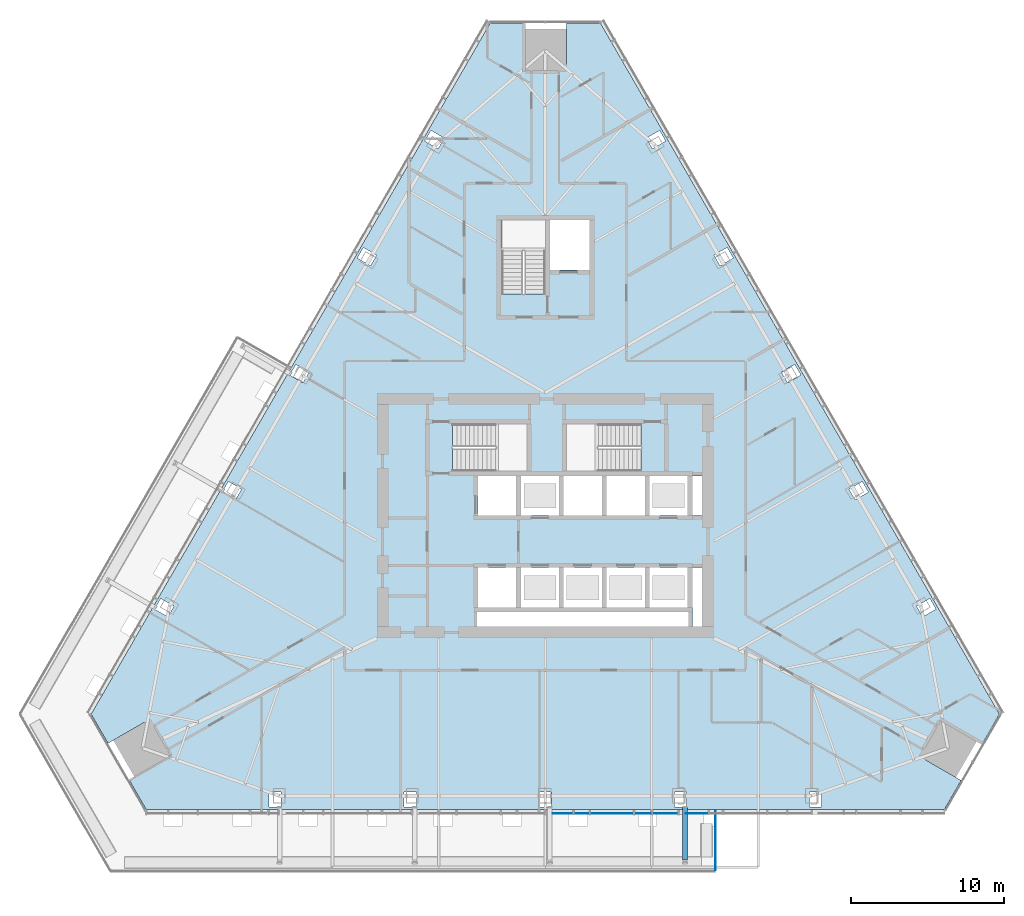
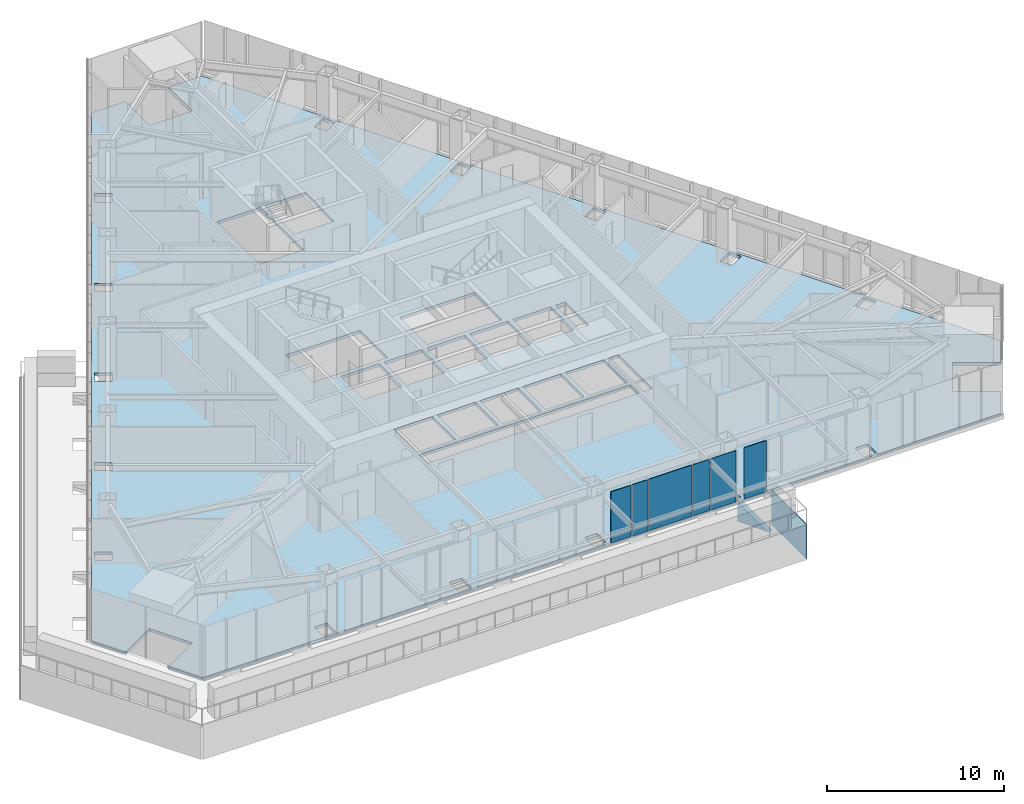
# One storey, part 12 of 23: 8 plates, 1 slab, 1 element without a shape of its own.
"""IFC4 building model written with IfcOpenShell, lengths in metres."""

from ifc_helpers import new_model, si_unit, direction, frame, origin, place, context, subcontext, project, spatial, polyline, outline, extrude, material, layer, layer_set, type_object, element, aggregate, save


model = new_model("IFC4")

# Units and contexts
model_context = context("Model", 3, precision=1e-05, world=origin(), true_north=direction((0.0, 1.0)))
body_context = subcontext(model_context, "Body", "Model", "MODEL_VIEW")
ifc_project = project(units=[si_unit("LENGTHUNIT", "METRE"), si_unit("AREAUNIT", "SQUARE_METRE"), si_unit("VOLUMEUNIT", "CUBIC_METRE"), si_unit("PLANEANGLEUNIT", "RADIAN"), si_unit("MASSUNIT", "GRAM", prefix="KILO")], contexts=[model_context])

# Site, building, storey
site_placement = place(None, origin())
site = spatial("IfcSite", under=ifc_project, at=site_placement, CompositionType="ELEMENT")
building_placement = place(site_placement, origin())
building = spatial("IfcBuilding", under=site, at=building_placement, Name="Firuza Gate Tower and Library", CompositionType="ELEMENT")
storey_placement = place(building_placement, frame((0.0, 0.0, 190.89990234375)))
storey = spatial("IfcBuildingStorey", under=building, at=storey_placement, Name="L44", CompositionType="ELEMENT", Elevation=190.89990234375)

# Slab
ifc_material_1 = material(Name="Concrete C40/50", Category="concrete")
ifc_layer_1 = layer(ifc_material_1, 0.199951171875)
ifc_layer_set_1 = layer_set([ifc_layer_1], Name="Composite floor slab 200 C40/50")
slab_type = type_object("IfcSlabType", Name="Composite floor slab 200 C40/50", PredefinedType="FLOOR", material=ifc_layer_set_1)
slab_placement = place(storey_placement, frame((0.0, 0.0, -0.199951171875)))
element("IfcSlab", 1, at=slab_placement, inside=storey, type_object=slab_type, Name="Floor slab L44", PredefinedType="FLOOR", context=body_context, shape_type="SweptSolid", body=[
    extrude(outline(polyline([(101.057373046875, 55.798828125), (102.157470703125, 57.7041015625), (99.80029296875, 59.06494140625), (101.2001953125, 61.48974609375), (103.557373046875, 60.12890625), (104.657470703125, 62.0341796875), (78.60009765625, 107.1669921875), (76.39990234375, 107.1669921875), (76.39990234375, 104.4453125), (73.60009765625, 104.4453125), (73.60009765625, 107.1669921875), (71.39990234375, 107.1669921875), (45.342529296875, 62.0341796875), (46.442626953125, 60.12890625), (48.7998046875, 61.48974609375), (50.19970703125, 59.06494140625), (47.842529296875, 57.7041015625), (48.942626953125, 55.798828125), (101.057373046875, 55.798828125)]), holes=[polyline([(56.952392578125, 55.959716796875), (56.952392578125, 56.959716796875), (57.752197265625, 56.959716796875), (57.752197265625, 55.959716796875), (56.952392578125, 55.959716796875)]), polyline([(74.60009765625, 55.959716796875), (74.60009765625, 56.959716796875), (75.39990234375, 56.959716796875), (75.39990234375, 55.959716796875), (74.60009765625, 55.959716796875)]), polyline([(65.776123046875, 55.959716796875), (65.776123046875, 56.959716796875), (66.576171875, 56.959716796875), (66.576171875, 55.959716796875), (65.776123046875, 55.959716796875)]), polyline([(84.35009765625, 67.75), (70.550048828125, 67.75), (70.550048828125, 68.699951171875), (84.35009765625, 68.699951171875), (84.35009765625, 67.75)]), polyline([(49.88671875, 69.583251953125), (50.752685546875, 69.083251953125), (50.352783203125, 68.390380859375), (49.48681640625, 68.890380859375), (49.88671875, 69.583251953125)]), polyline([(73.10009765625, 69.0), (70.60009765625, 69.0), (70.60009765625, 71.60009765625), (73.10009765625, 71.60009765625), (73.10009765625, 69.0)]), polyline([(75.89990234375, 69.0), (73.39990234375, 69.0), (73.39990234375, 71.60009765625), (75.89990234375, 71.60009765625), (75.89990234375, 69.0)]), polyline([(73.10009765625, 75.0), (70.60009765625, 75.0), (70.60009765625, 77.60009765625), (73.10009765625, 77.60009765625), (73.10009765625, 75.0)]), polyline([(75.89990234375, 75.0), (73.39990234375, 75.0), (73.39990234375, 77.60009765625), (75.89990234375, 77.60009765625), (75.89990234375, 75.0)]), polyline([(54.298583984375, 77.224853515625), (55.164794921875, 76.724853515625), (54.7646484375, 76.031982421875), (53.898681640625, 76.531982421875), (54.298583984375, 77.224853515625)]), polyline([(73.81005859375, 77.89990234375), (68.9404296875, 77.89990234375), (68.9404296875, 80.97998046875), (73.81005859375, 80.97998046875), (73.81005859375, 77.89990234375)]), polyline([(58.710693359375, 84.866455078125), (59.57666015625, 84.366455078125), (59.1767578125, 83.673828125), (58.310546875, 84.173828125), (58.710693359375, 84.866455078125)]), polyline([(72.159912109375, 89.470458984375), (72.159912109375, 94.300048828125), (75.0, 94.300048828125), (75.0, 89.470458984375), (72.159912109375, 89.470458984375)]), polyline([(63.12255859375, 92.50830078125), (63.988525390625, 92.00830078125), (63.588623046875, 91.3154296875), (62.72265625, 91.8154296875), (63.12255859375, 92.50830078125)]), polyline([(75.300048828125, 91.050048828125), (75.300048828125, 94.300048828125), (77.89990234375, 94.300048828125), (77.89990234375, 91.050048828125), (75.300048828125, 91.050048828125)]), polyline([(68.400390625, 99.64990234375), (68.00048828125, 98.95703125), (67.134521484375, 99.45703125), (67.534423828125, 100.14990234375), (68.400390625, 99.64990234375)]), polyline([(92.247802734375, 55.959716796875), (92.247802734375, 56.959716796875), (93.047607421875, 56.959716796875), (93.047607421875, 55.959716796875), (92.247802734375, 55.959716796875)]), polyline([(83.423828125, 55.959716796875), (83.423828125, 56.959716796875), (84.223876953125, 56.959716796875), (84.223876953125, 55.959716796875), (83.423828125, 55.959716796875)]), polyline([(100.51318359375, 68.890380859375), (99.647216796875, 68.390380859375), (99.247314453125, 69.083251953125), (100.11328125, 69.583251953125), (100.51318359375, 68.890380859375)]), polyline([(85.25, 67.75), (84.60009765625, 67.75), (84.60009765625, 71.60009765625), (85.25, 71.60009765625), (85.25, 67.75)]), polyline([(81.5, 69.0), (79.0, 69.0), (79.0, 71.60009765625), (81.5, 71.60009765625), (81.5, 69.0)]), polyline([(81.800048828125, 69.0), (81.800048828125, 71.60009765625), (84.300048828125, 71.60009765625), (84.300048828125, 69.0), (81.800048828125, 69.0)]), polyline([(76.199951171875, 69.0), (76.199951171875, 71.60009765625), (78.699951171875, 71.60009765625), (78.699951171875, 69.0), (76.199951171875, 69.0)]), polyline([(81.5, 75.0), (79.0, 75.0), (79.0, 77.60009765625), (81.5, 77.60009765625), (81.5, 75.0)]), polyline([(84.300048828125, 75.0), (81.800048828125, 75.0), (81.800048828125, 77.60009765625), (84.300048828125, 77.60009765625), (84.300048828125, 75.0)]), polyline([(85.25, 75.0), (84.60009765625, 75.0), (84.60009765625, 77.60009765625), (85.25, 77.60009765625), (85.25, 75.0)]), polyline([(78.699951171875, 75.0), (76.199951171875, 75.0), (76.199951171875, 77.60009765625), (78.699951171875, 77.60009765625), (78.699951171875, 75.0)]), polyline([(96.101318359375, 76.531982421875), (95.2353515625, 76.031982421875), (94.835205078125, 76.724853515625), (95.701416015625, 77.224853515625), (96.101318359375, 76.531982421875)]), polyline([(81.259521484375, 77.89990234375), (76.389892578125, 77.89990234375), (76.389892578125, 80.97998046875), (81.259521484375, 80.97998046875), (81.259521484375, 77.89990234375)]), polyline([(91.689453125, 84.173828125), (90.8232421875, 83.673828125), (90.42333984375, 84.366455078125), (91.289306640625, 84.866455078125), (91.689453125, 84.173828125)]), polyline([(86.411376953125, 91.3154296875), (86.011474609375, 92.00830078125), (86.87744140625, 92.50830078125), (87.27734375, 91.8154296875), (86.411376953125, 91.3154296875)]), polyline([(81.99951171875, 98.95703125), (81.599609375, 99.64990234375), (82.465576171875, 100.14990234375), (82.865478515625, 99.45703125), (81.99951171875, 98.95703125)])]), origin(), (0.0, 0.0, 1.0), 0.199951171875),
])

# Curtain wall, plates
ifc_material_2 = material(Name="Aluminium 6063-T6", Category="aluminium")
ifc_layer_2 = layer(ifc_material_2, 0.14990234375)
ifc_layer_set_2 = layer_set([ifc_layer_2], Name="Unitised curtain wall, hotel")
curtain_wall_type = type_object("IfcCurtainWallType", Name="Unitised curtain wall, hotel", PredefinedType="NOTDEFINED", material=ifc_layer_set_2)
curtain_wall_placement = place(storey_placement, origin())
curtain_wall = element("IfcCurtainWall", 2, at=curtain_wall_placement, inside=storey, type_object=curtain_wall_type, Name="CW2 L44 S face", PredefinedType="NOTDEFINED")
ifc_material_3 = material(Name="Fritted glass", Category="glass")
ifc_layer_3 = layer(ifc_material_3, 0.030029296875)
ifc_layer_set_3 = layer_set([ifc_layer_3], Name="Fritted glass unit, hotel")
plate_type_1 = type_object("IfcPlateType", Name="Fritted glass unit, hotel", PredefinedType="CURTAIN_PANEL", material=ifc_layer_set_3)
plate_1_placement = place(storey_placement, frame((75.487060546875, 55.538818359375, 0.150146484375), z_axis=(0.0, -1.0, 0.0), x_axis=(1.0, 0.0, 0.0)))
plate_1 = element("IfcPlate", 3, at=plate_1_placement, type_object=plate_type_1, Name="Glass unit", PredefinedType="CURTAIN_PANEL", context=body_context, shape_type="SweptSolid", body=[
    extrude(outline(polyline([(0.0, 0.0), (1.316650390625, 0.0), (1.316650390625, 3.550048828125), (0.0, 3.550048828125), (0.0, 0.0)])), origin(), (0.0, 0.0, -1.0), 0.030029296875),
])
plate_2_placement = place(storey_placement, frame((82.020263671875, 55.538818359375, 0.150146484375), z_axis=(0.0, -1.0, 0.0), x_axis=(1.0, 0.0, 0.0)))
plate_2 = element("IfcPlate", 4, at=plate_2_placement, type_object=plate_type_1, Name="Glass unit", PredefinedType="CURTAIN_PANEL", context=body_context, shape_type="SweptSolid", body=[
    extrude(outline(polyline([(0.0, 0.0), (1.639892578125, 0.0), (1.639892578125, 3.550048828125), (0.0, 3.550048828125), (0.0, 0.0)])), origin(), (0.0, 0.0, -1.0), 0.030029296875),
])
plate_3_placement = place(storey_placement, frame((84.1728515625, 55.538818359375, 0.150146484375), z_axis=(0.0, -1.0, 0.0), x_axis=(1.0, 0.0, 0.0)))
plate_3 = element("IfcPlate", 5, at=plate_3_placement, type_object=plate_type_1, Name="Glass unit", PredefinedType="CURTAIN_PANEL", context=body_context, shape_type="SweptSolid", body=[
    extrude(outline(polyline([(0.0, 0.0), (1.45458984375, 0.0), (1.45458984375, 3.550048828125), (0.0, 3.550048828125), (0.0, 0.0)])), origin(), (0.0, 0.0, -1.0), 0.030029296875),
])
ifc_material_4 = material(Name="Glazed ceramic tile")
ifc_layer_4 = layer(ifc_material_4, 0.030029296875)
ifc_layer_set_4 = layer_set([ifc_layer_4], Name="Opaque ceramic panel, hotel")
plate_type_2 = type_object("IfcPlateType", Name="Opaque ceramic panel, hotel", PredefinedType="CURTAIN_PANEL", material=ifc_layer_set_4)
plate_4_placement = place(storey_placement, frame((76.8837890625, 55.538818359375, 0.150146484375), z_axis=(0.0, -1.0, 0.0), x_axis=(1.0, 0.0, 0.0)))
plate_4 = element("IfcPlate", 6, at=plate_4_placement, type_object=plate_type_2, Name="Opaque ceramic panel", PredefinedType="CURTAIN_PANEL", context=body_context, shape_type="SweptSolid", body=[
    extrude(outline(polyline([(0.0, 0.0), (0.976318359375, 0.0), (0.976318359375, 3.550048828125), (0.0, 3.550048828125), (0.0, 0.0)])), origin(), (0.0, 0.0, -1.0), 0.030029296875),
])
plate_5_placement = place(storey_placement, frame((77.940185546875, 55.538818359375, 0.150146484375), z_axis=(0.0, -1.0, 0.0), x_axis=(1.0, 0.0, 0.0)))
plate_5 = element("IfcPlate", 7, at=plate_5_placement, type_object=plate_type_2, Name="Opaque ceramic panel", PredefinedType="CURTAIN_PANEL", context=body_context, shape_type="SweptSolid", body=[
    extrude(outline(polyline([(0.0, 0.0), (2.820068359375, 0.0), (2.820068359375, 3.550048828125), (0.0, 3.550048828125), (0.0, 0.0)])), origin(), (0.0, 0.0, -1.0), 0.030029296875),
])
plate_6_placement = place(storey_placement, frame((80.840087890625, 55.538818359375, 0.150146484375), z_axis=(0.0, -1.0, 0.0), x_axis=(1.0, 0.0, 0.0)))
plate_6 = element("IfcPlate", 8, at=plate_6_placement, type_object=plate_type_2, Name="Opaque ceramic panel", PredefinedType="CURTAIN_PANEL", context=body_context, shape_type="SweptSolid", body=[
    extrude(outline(polyline([(0.0, 0.0), (1.10009765625, 0.0), (1.10009765625, 3.550048828125), (0.0, 3.550048828125), (0.0, 0.0)])), origin(), (0.0, 0.0, -1.0), 0.030029296875),
])
aggregate(curtain_wall, [plate_1, plate_4, plate_5, plate_6, plate_2, plate_3])

# Plates
ifc_material_5 = material(Name="Steel S355", Category="steel")
ifc_layer_5 = layer(ifc_material_5, 0.300048828125)
ifc_layer_set_5 = layer_set([ifc_layer_5], Name="Tray bracket web 300 Steel S355")
plate_type_3 = type_object("IfcPlateType", Name="Tray bracket web 300 Steel S355", PredefinedType="SHEET", material=ifc_layer_set_5)
plate_7_placement = place(storey_placement, frame((84.27392578125, 55.925048828125, -0.199951171875), z_axis=(1.0, 0.0, 0.0), x_axis=(0.0, -1.0, 0.0)))
element("IfcPlate", 9, at=plate_7_placement, inside=storey, type_object=plate_type_3, Name="Tray bracket web L44 col:L43:S4", PredefinedType="SHEET", context=body_context, shape_type="SweptSolid", body=[
    extrude(outline(polyline([(0.0, 0.0), (3.429931640625, 0.0), (0.0, 1.333984375), (0.0, 0.0)])), origin(), (0.0, 0.0, -1.0), 0.300048828125),
])
ifc_material_6 = material(Name="Aluminium 6063-T6", Category="aluminium")
ifc_layer_6 = layer(ifc_material_6, 0.050048828125)
ifc_layer_set_6 = layer_set([ifc_layer_6], Name="Tray fascia panel 50")
plate_type_4 = type_object("IfcPlateType", Name="Tray fascia panel 50", PredefinedType="SHEET", material=ifc_layer_set_6)
plate_8_placement = place(storey_placement, frame((86.135986328125, 51.8291015625, -2.39990234375), z_axis=(1.0, 0.0, 0.0), x_axis=(0.0, 1.0, 0.0)))
element("IfcPlate", 10, at=plate_8_placement, inside=storey, type_object=plate_type_4, Name="Tray fascia L44 4", PredefinedType="SHEET", context=body_context, shape_type="SweptSolid", body=[
    extrude(outline(polyline([(0.0, 0.0), (3.93994140625, 0.0), (3.93994140625, 2.39990234375), (0.0, 2.39990234375), (0.0, 0.0)])), origin(), (0.0, 0.0, -1.0), 0.050048828125),
])

save(model, "model.ifc")
